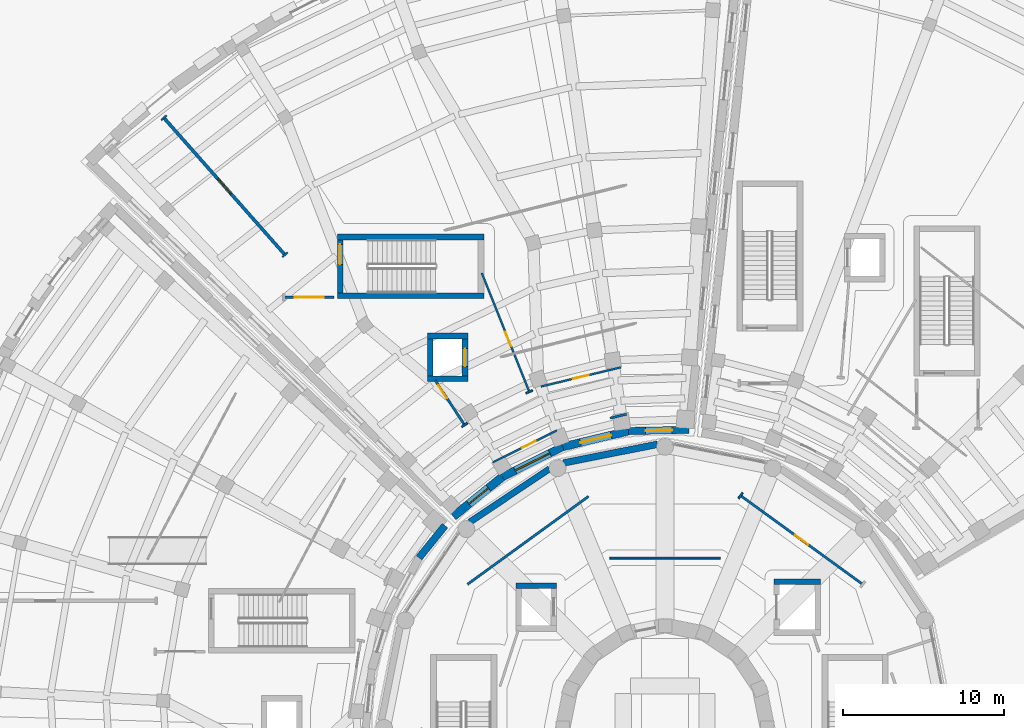
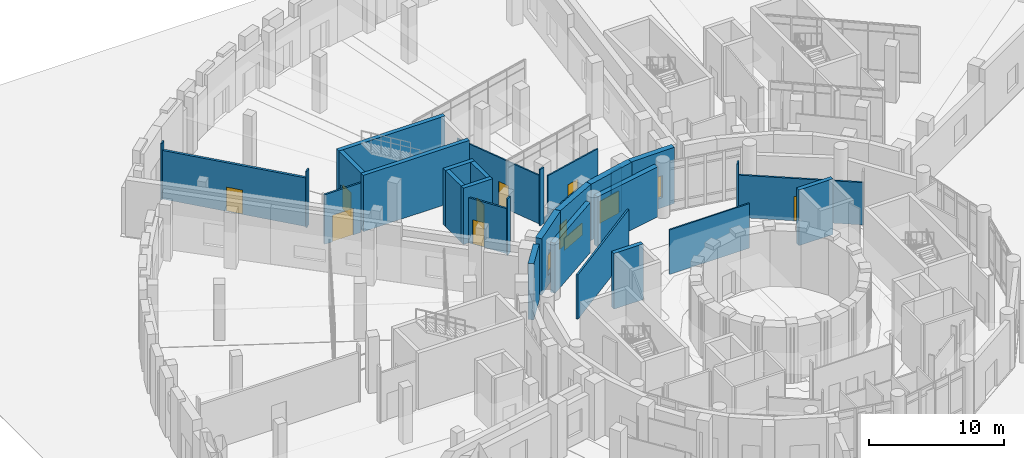
# One storey, part 49 of 74: 31 walls, 9 doors, 4 windows, 13 openings.
"""IFC4 building model written with IfcOpenShell, lengths in metres."""

from ifc_helpers import new_model, si_unit, direction, frame, frame_2d, origin, place, context, subcontext, project, spatial, rectangle, extrude, material, layer, layer_set, type_object, element, fill, save


model = new_model("IFC4")

# Units and contexts
model_context = context("Model", 3, precision=1e-05, world=origin(), true_north=direction((0.0, 1.0)))
body_context = subcontext(model_context, "Body", "Model", "MODEL_VIEW")
ifc_project = project(units=[si_unit("LENGTHUNIT", "METRE"), si_unit("AREAUNIT", "SQUARE_METRE"), si_unit("VOLUMEUNIT", "CUBIC_METRE"), si_unit("PLANEANGLEUNIT", "RADIAN"), si_unit("MASSUNIT", "GRAM", prefix="KILO")], contexts=[model_context])

# Site, building, storey
site_placement = place(None, origin())
site = spatial("IfcSite", under=ifc_project, at=site_placement, CompositionType="ELEMENT")
building_placement = place(site_placement, origin())
building = spatial("IfcBuilding", under=site, at=building_placement, Name="Soyqirgoq Riverine Aquarium", CompositionType="ELEMENT")
storey_placement = place(building_placement, origin())
storey = spatial("IfcBuildingStorey", under=building, at=storey_placement, Name="L01", CompositionType="ELEMENT", Elevation=0.0)

# Walls
ifc_material_1 = material(Name="Concrete C40/50", Category="concrete")
ifc_layer_1 = layer(ifc_material_1, 0.35009765625)
ifc_layer_set_1 = layer_set([ifc_layer_1], Name="Concrete C40/50")
wall_type_1 = type_object("IfcWallType", Name="CoreShearWall_350_C40", PredefinedType="SHEAR", material=ifc_layer_set_1)
wall_1_placement = place(storey_placement, frame((65.655029296875, 66.080078125, 0.0), z_axis=(0.0, 0.0, 1.0), x_axis=(-1.0, 0.0, 0.0)))
element("IfcWall", 1, at=wall_1_placement, inside=storey, type_object=wall_type_1, Name="Lift GL-1 Shaft Wall L01 3", PredefinedType="SHEAR", context=body_context, shape_type="SweptSolid", body=[
    extrude(rectangle(XDim=2.909912109375, YDim=0.35009765625, at=frame_2d((1.455078125, 0.0))), origin(), (0.0, 0.0, 1.0), 5.050048828125),
])
wall_2_placement = place(storey_placement, frame((49.2548828125, 65.830078125, 0.0), z_axis=(0.0, 0.0, 1.0), x_axis=(-1.0, 0.0, 0.0)))
element("IfcWall", 2, at=wall_2_placement, inside=storey, type_object=wall_type_1, Name="Lift PL-1 Shaft Wall L01 3", PredefinedType="SHEAR", context=body_context, shape_type="SweptSolid", body=[
    extrude(rectangle(XDim=2.509765625, YDim=0.35009765625, at=frame_2d((1.2548828125, 0.0))), origin(), (0.0, 0.0, 1.0), 5.050048828125),
])
for number, where, z_axis, x_axis, name in (
    (3, (35.64990234375, 83.824951171875, 0.0), (0.0, 0.0, 1.0), (1.0, 0.0, 0.0), "CORE-4 L01 Stair Core Shear Wall SIDE1"),
    (4, (44.75, 87.47509765625, 0.0), (0.0, 0.0, 1.0), (-1.0, 0.0, 0.0), "CORE-4 L01 Stair Core Shear Wall SIDE2"),
):
    element("IfcWall", number, at=place(storey_placement, frame(where, z_axis=z_axis, x_axis=x_axis)), inside=storey, type_object=wall_type_1, Name=name, PredefinedType="SHEAR", context=body_context, shape_type="SweptSolid", body=[
        extrude(rectangle(XDim=9.10009765625, YDim=0.35009765625, at=frame_2d((4.550048828125, 0.0))), origin(), (0.0, 0.0, 1.0), 5.10009765625),
    ])

# Wall, opening, door
wall_3_placement = place(storey_placement, frame((35.824951171875, 87.300048828125, 0.0), z_axis=(0.0, 0.0, 1.0), x_axis=(0.0, -1.0, 0.0)))
wall_3 = element("IfcWall", 5, at=wall_3_placement, inside=storey, type_object=wall_type_1, Name="CORE-4 L01 Stair Core Shear Wall FRONT", PredefinedType="SHEAR", context=body_context, shape_type="SweptSolid", body=[
    extrude(rectangle(XDim=3.300048828125, YDim=0.35009765625, at=frame_2d((1.64990234375, 0.0))), origin(), (0.0, 0.0, 1.0), 5.10009765625),
])
opening_1_placement = place(wall_3_placement, frame((0.280029296875, 0.0, 0.0)))
opening_1 = element("IfcOpeningElement", 6, at=opening_1_placement, cuts=wall_3, Name="Opening FD-01", PredefinedType="OPENING", context=body_context, shape_type="SweptSolid", body=[
    extrude(rectangle(XDim=1.25, YDim=2.199951171875, at=frame_2d((0.625, 1.10009765625))), frame((0.0, 0.18505859375, 0.0), z_axis=(0.0, -1.0, 0.0), x_axis=(1.0, 0.0, 0.0)), (0.0, 0.0, 1.0), 0.3701171875),
])
ifc_material_2 = material(Name="Galvanised steel fire-resisting stair door", Category="steel")
door_type_1 = type_object("IfcDoorType", Name="StairFireDoor_1250x2200_EI90", OperationType="NOTDEFINED", PredefinedType="DOOR", material=ifc_material_2)
door_1_placement = place(opening_1_placement, origin())
door_1 = element("IfcDoor", 7, at=door_1_placement, inside=storey, type_object=door_type_1, Name="DR-ST-4-L01 ST-4 L01 Fire-Rated Stairwell Door", OperationType="SINGLE_SWING_RIGHT", OverallHeight=2.199951171875, OverallWidth=1.25, PredefinedType="DOOR", context=body_context, shape_type="SweptSolid", body=[
    extrude(rectangle(XDim=1.25, YDim=2.199951171875, at=frame_2d((0.625, 1.10009765625))), frame((0.0, 0.02490234375, 0.0), z_axis=(0.0, -1.0, 0.0), x_axis=(1.0, 0.0, 0.0)), (0.0, 0.0, 1.0), 0.050048828125),
])
fill(opening_1, door_1)

# Wall
wall_4_placement = place(storey_placement, frame((41.2451171875, 78.669921875, 0.0), z_axis=(0.0, 0.0, 1.0), x_axis=(1.0, 0.0, 0.0)))
element("IfcWall", 8, at=wall_4_placement, inside=storey, type_object=wall_type_1, Name="Lift PL-3 Shaft Wall L01 1", PredefinedType="SHEAR", context=body_context, shape_type="SweptSolid", body=[
    extrude(rectangle(XDim=2.509765625, YDim=0.35009765625, at=frame_2d((1.2548828125, 0.0))), origin(), (0.0, 0.0, 1.0), 5.10009765625),
])

# Wall, opening, door
wall_5_placement = place(storey_placement, frame((43.580078125, 78.844970703125, 0.0), z_axis=(0.0, 0.0, 1.0), x_axis=(0.0, 1.0, 0.0)))
wall_5 = element("IfcWall", 9, at=wall_5_placement, inside=storey, type_object=wall_type_1, Name="Lift PL-3 Shaft Wall L01 2", PredefinedType="SHEAR", context=body_context, shape_type="SweptSolid", body=[
    extrude(rectangle(XDim=2.31005859375, YDim=0.35009765625, at=frame_2d((1.155029296875, 0.0))), origin(), (0.0, 0.0, 1.0), 5.10009765625),
])
opening_2_placement = place(wall_5_placement, frame((0.60498046875, 0.0, 0.0)))
opening_2 = element("IfcOpeningElement", 10, at=opening_2_placement, cuts=wall_5, Name="Opening LD-01", PredefinedType="OPENING", context=body_context, shape_type="SweptSolid", body=[
    extrude(rectangle(XDim=1.10009765625, YDim=2.199951171875, at=frame_2d((0.550048828125, 1.10009765625))), frame((0.0, 0.18505859375, 0.0), z_axis=(0.0, -1.0, 0.0), x_axis=(1.0, 0.0, 0.0)), (0.0, 0.0, 1.0), 0.3701171875),
])
ifc_material_3 = material(Name="Brushed stainless steel telescopic lift landing door", Category="steel")
door_type_2 = type_object("IfcDoorType", Name="LiftLandingDoor_1100x2200", OperationType="SLIDING_TO_LEFT", PredefinedType="DOOR", material=ifc_material_3)
door_2_placement = place(opening_2_placement, origin())
door_2 = element("IfcDoor", 11, at=door_2_placement, inside=storey, type_object=door_type_2, Name="LD-PL-3-L01 Lift PL-3 L01 Sliding Landing Door", OperationType="SLIDING_TO_LEFT", OverallHeight=2.199951171875, OverallWidth=1.10009765625, PredefinedType="DOOR", context=body_context, shape_type="SweptSolid", body=[
    extrude(rectangle(XDim=1.10009765625, YDim=2.199951171875, at=frame_2d((0.550048828125, 1.10009765625))), frame((0.0, 0.02490234375, 0.0), z_axis=(0.0, -1.0, 0.0), x_axis=(1.0, 0.0, 0.0)), (0.0, 0.0, 1.0), 0.050048828125),
])
fill(opening_2, door_2)

# Walls
wall_6_placement = place(storey_placement, frame((43.7548828125, 81.330078125, 0.0), z_axis=(0.0, 0.0, 1.0), x_axis=(-1.0, 0.0, 0.0)))
element("IfcWall", 12, at=wall_6_placement, inside=storey, type_object=wall_type_1, Name="Lift PL-3 Shaft Wall L01 3", PredefinedType="SHEAR", context=body_context, shape_type="SweptSolid", body=[
    extrude(rectangle(XDim=2.509765625, YDim=0.35009765625, at=frame_2d((1.2548828125, 0.0))), origin(), (0.0, 0.0, 1.0), 5.10009765625),
])
wall_7_placement = place(storey_placement, frame((41.419921875, 81.155029296875, 0.0), z_axis=(0.0, 0.0, 1.0), x_axis=(0.0, -1.0, 0.0)))
element("IfcWall", 13, at=wall_7_placement, inside=storey, type_object=wall_type_1, Name="Lift PL-3 Shaft Wall L01 4", PredefinedType="SHEAR", context=body_context, shape_type="SweptSolid", body=[
    extrude(rectangle(XDim=2.31005859375, YDim=0.35009765625, at=frame_2d((1.155029296875, 0.0))), origin(), (0.0, 0.0, 1.0), 5.10009765625),
])
ifc_material_4 = material(Name="Lightweight steel-stud gypsum partition", Category="steel")
ifc_layer_2 = layer(ifc_material_4, 0.1201171875)
ifc_layer_set_2 = layer_set([ifc_layer_2], Name="Lightweight steel-stud gypsum partition")
wall_type_2 = type_object("IfcWallType", Name="PartitionWall_120_Std", PredefinedType="PARTITIONING", material=ifc_layer_set_2)
wall_8_placement = place(storey_placement, frame((59.426025390625, 67.544189453125, 0.0), z_axis=(0.0, 0.0, 1.0), x_axis=(-1.0, 0.0, 0.0)))
element("IfcWall", 14, at=wall_8_placement, inside=storey, type_object=wall_type_2, Name="Subsea Window Alcove Partition Wall", PredefinedType="PARTITIONING", context=body_context, shape_type="SweptSolid", body=[
    extrude(rectangle(XDim=6.85205078125, YDim=0.1201171875, at=frame_2d((3.426025390625, 0.0))), origin(), (0.0, 0.0, 1.0), 4.0400390625),
])
wall_9_placement = place(storey_placement, frame((60.556396484375, 71.242919921875, 0.0), z_axis=(0.0, 0.0, 1.0), x_axis=(0.587412867849, 0.809287416611, 0.0)))
element("IfcWall", 15, at=wall_9_placement, inside=storey, type_object=wall_type_2, Name="V1 L01 Jamb Return Pier", PredefinedType="PARTITIONING", context=body_context, shape_type="SweptSolid", body=[
    extrude(rectangle(XDim=0.440185546875, YDim=0.1201171875, at=frame_2d((0.22021484375, 0.0))), origin(), (0.0, 0.0, 1.0), 4.949951171875),
])

# Wall, opening, door
wall_10_placement = place(storey_placement, frame((53.251708984375, 79.3818359375, 0.0), z_axis=(0.0, 0.0, 1.0), x_axis=(-0.972378185718, -0.233410933633, 0.0)))
wall_10 = element("IfcWall", 16, at=wall_10_placement, inside=storey, type_object=wall_type_2, Name="V4 Gallery Circulation Corridor Partition Wall", PredefinedType="PARTITIONING", context=body_context, shape_type="SweptSolid", body=[
    extrude(rectangle(XDim=5.10546875, YDim=0.1201171875, at=frame_2d((2.552734375, 0.0))), origin(), (0.0, 0.0, 1.0), 3.989990234375),
])
opening_3_placement = place(wall_10_placement, frame((2.052734375, 0.0, 0.0)))
opening_3 = element("IfcOpeningElement", 17, at=opening_3_placement, cuts=wall_10, Name="Opening ID-03", PredefinedType="OPENING", context=body_context, shape_type="SweptSolid", body=[
    extrude(rectangle(XDim=1.0, YDim=2.199951171875, at=frame_2d((0.5, 1.10009765625))), frame((0.0, 0.070068359375, 0.0), z_axis=(0.0, -1.0, 0.0), x_axis=(1.0, 0.0, 0.0)), (0.0, 0.0, 1.0), 0.14013671875),
])
ifc_material_5 = material(Name="Solid-core ash veneer room door", Category="wood")
door_type_3 = type_object("IfcDoorType", Name="RoomDoor_1000x2200", OperationType="NOTDEFINED", PredefinedType="DOOR", material=ifc_material_5)
door_3_placement = place(opening_3_placement, origin())
door_3 = element("IfcDoor", 18, at=door_3_placement, inside=storey, type_object=door_type_3, Name="IDR-V4-L01-0110 Indo-Pacific Lagoon Hall Door", OperationType="SINGLE_SWING_LEFT", OverallHeight=2.199951171875, OverallWidth=1.0, PredefinedType="DOOR", context=body_context, shape_type="SweptSolid", body=[
    extrude(rectangle(XDim=1.0, YDim=2.199951171875, at=frame_2d((0.5, 1.10009765625))), frame((0.0, 0.02490234375, 0.0), z_axis=(0.0, -1.0, 0.0), x_axis=(1.0, 0.0, 0.0)), (0.0, 0.0, 1.0), 0.050048828125),
])
fill(opening_3, door_3)

wall_11_placement = place(storey_placement, frame((45.2978515625, 73.47998046875, 0.0), z_axis=(0.0, 0.0, 1.0), x_axis=(0.894931487964, 0.446203576689, 0.0)))
wall_11 = element("IfcWall", 19, at=wall_11_placement, inside=storey, type_object=wall_type_2, Name="V4 Gallery Circulation Corridor Partition Wall", PredefinedType="PARTITIONING", context=body_context, shape_type="SweptSolid", body=[
    extrude(rectangle(XDim=4.448974609375, YDim=0.1201171875, at=frame_2d((2.224609375, 0.0))), origin(), (0.0, 0.0, 1.0), 4.090087890625),
])
opening_4_placement = place(wall_11_placement, frame((2.029296875, 0.0, 0.0)))
opening_4 = element("IfcOpeningElement", 20, at=opening_4_placement, cuts=wall_11, Name="Opening ID-06", PredefinedType="OPENING", context=body_context, shape_type="SweptSolid", body=[
    extrude(rectangle(XDim=0.949951171875, YDim=2.199951171875, at=frame_2d((0.47509765625, 1.10009765625))), frame((0.0, 0.070068359375, 0.0), z_axis=(0.0, -1.0, 0.0), x_axis=(1.0, 0.0, 0.0)), (0.0, 0.0, 1.0), 0.14013671875),
])
ifc_material_6 = material(Name="Moisture-resistant HPL washroom door", Category="wood")
door_type_4 = type_object("IfcDoorType", Name="WCDoor_950x2200", OperationType="NOTDEFINED", PredefinedType="DOOR", material=ifc_material_6)
door_4_placement = place(opening_4_placement, origin())
door_4 = element("IfcDoor", 21, at=door_4_placement, inside=storey, type_object=door_type_4, Name="IDR-V4-L01-0111 Coral Reef Gallery Door", OperationType="SINGLE_SWING_RIGHT", OverallHeight=2.199951171875, OverallWidth=0.949951171875, PredefinedType="DOOR", context=body_context, shape_type="SweptSolid", body=[
    extrude(rectangle(XDim=0.949951171875, YDim=2.199951171875, at=frame_2d((0.47509765625, 1.10009765625))), frame((0.0, 0.02490234375, 0.0), z_axis=(0.0, -1.0, 0.0), x_axis=(1.0, 0.0, 0.0)), (0.0, 0.0, 1.0), 0.050048828125),
])
fill(opening_4, door_4)

wall_12_placement = place(storey_placement, frame((47.568359375, 77.864990234375, 0.0), z_axis=(0.0, 0.0, 1.0), x_axis=(-0.371358869186, 0.928489413121, 0.0)))
wall_12 = element("IfcWall", 22, at=wall_12_placement, inside=storey, type_object=wall_type_2, Name="Mangrove Nursery Loggia Partition Wall", PredefinedType="PARTITIONING", context=body_context, shape_type="SweptSolid", body=[
    extrude(rectangle(XDim=7.9404296875, YDim=0.1201171875, at=frame_2d((3.97021484375, 0.0))), origin(), (0.0, 0.0, 1.0), 4.389892578125),
])
opening_5_placement = place(wall_12_placement, frame((3.05029296875, 0.0, 0.0)))
opening_5 = element("IfcOpeningElement", 23, at=opening_5_placement, cuts=wall_12, Name="Opening ID-06", PredefinedType="OPENING", context=body_context, shape_type="SweptSolid", body=[
    extrude(rectangle(XDim=0.949951171875, YDim=2.199951171875, at=frame_2d((0.47509765625, 1.10009765625))), frame((0.0, 0.070068359375, 0.0), z_axis=(0.0, -1.0, 0.0), x_axis=(1.0, 0.0, 0.0)), (0.0, 0.0, 1.0), 0.14013671875),
])
door_5_placement = place(opening_5_placement, origin())
door_5 = element("IfcDoor", 24, at=door_5_placement, inside=storey, type_object=door_type_4, Name="IDR-V4-L01-0114 Coral Lagoon Viewing Room Access Door", OperationType="SINGLE_SWING_RIGHT", OverallHeight=2.199951171875, OverallWidth=0.949951171875, PredefinedType="DOOR", context=body_context, shape_type="SweptSolid", body=[
    extrude(rectangle(XDim=0.949951171875, YDim=2.199951171875, at=frame_2d((0.47509765625, 1.10009765625))), frame((0.0, 0.02490234375, 0.0), z_axis=(0.0, -1.0, 0.0), x_axis=(1.0, 0.0, 0.0)), (0.0, 0.0, 1.0), 0.050048828125),
])
fill(opening_5, door_5)

# Walls
for number, where, z_axis, x_axis, name in (
    (25, (24.720947265625, 94.72607421875, 0.0), (0.0, 0.0, 1.0), (0.749335490671, 0.662190548423, 0.0), "V4 L01 Jamb Return Pier"),
    (26, (32.235107421875, 86.22412109375, 0.0), (0.0, 0.0, 1.0), (0.749335490671, 0.662190548423, 0.0), "V4 L01 Jamb Return Pier"),
    (27, (43.73193359375, 75.931396484375, 0.0), (0.0, 0.0, 1.0), (-0.835618159461, -0.549310742275, 0.0), "V4 L01 Jamb Return Pier"),
):
    element("IfcWall", number, at=place(storey_placement, frame(where, z_axis=z_axis, x_axis=x_axis)), inside=storey, type_object=wall_type_2, Name=name, PredefinedType="PARTITIONING", context=body_context, shape_type="SweptSolid", body=[
        extrude(rectangle(XDim=0.43994140625, YDim=0.1201171875, at=frame_2d((0.219970703125, 0.0))), origin(), (0.0, 0.0, 1.0), 5.10009765625),
    ])
wall_13_placement = place(storey_placement, frame((47.772705078125, 77.94677734375, 0.0), z_axis=(0.0, 0.0, 1.0), x_axis=(-0.928591414988, -0.371103737531, 0.0)))
element("IfcWall", 28, at=wall_13_placement, inside=storey, type_object=wall_type_2, Name="V4 L01 Jamb Return Pier", PredefinedType="PARTITIONING", context=body_context, shape_type="SweptSolid", body=[
    extrude(rectangle(XDim=0.440185546875, YDim=0.1201171875, at=frame_2d((0.22021484375, 0.0))), origin(), (0.0, 0.0, 1.0), 5.10009765625),
])

# Wall, opening, door
ifc_material_7 = material(Name="Acoustic mineral-wool twin-stud partition", Category="gypsum")
ifc_layer_3 = layer(ifc_material_7, 0.14990234375)
ifc_layer_set_3 = layer_set([ifc_layer_3], Name="Acoustic mineral-wool twin-stud partition")
wall_type_3 = type_object("IfcWallType", Name="PartitionWall_150_Acoustic", PredefinedType="PARTITIONING", material=ifc_layer_set_3)
wall_14_placement = place(storey_placement, frame((60.685791015625, 71.4208984375, 0.0), z_axis=(0.0, 0.0, 1.0), x_axis=(0.80900863343, -0.587796759973, 0.0)))
wall_14 = element("IfcWall", 29, at=wall_14_placement, inside=storey, type_object=wall_type_3, Name="Benthic Reef Viewing Gallery Partition Wall", PredefinedType="PARTITIONING", context=body_context, shape_type="SweptSolid", body=[
    extrude(rectangle(XDim=9.37109375, YDim=0.14990234375, at=frame_2d((4.685546875, 0.0))), origin(), (0.0, 0.0, 1.0), 3.840087890625),
])
opening_6_placement = place(wall_14_placement, frame((4.185546875, 0.0, 0.0)))
opening_6 = element("IfcOpeningElement", 30, at=opening_6_placement, cuts=wall_14, Name="Opening ID-03", PredefinedType="OPENING", context=body_context, shape_type="SweptSolid", body=[
    extrude(rectangle(XDim=1.0, YDim=2.199951171875, at=frame_2d((0.5, 1.10009765625))), frame((0.0, 0.0849609375, 0.0), z_axis=(0.0, -1.0, 0.0), x_axis=(1.0, 0.0, 0.0)), (0.0, 0.0, 1.0), 0.169921875),
])
door_6_placement = place(opening_6_placement, origin())
door_6 = element("IfcDoor", 31, at=door_6_placement, inside=storey, type_object=door_type_3, Name="IDR-V1-L01-0018 Ocean Drum Circulation Corridor Door", OperationType="SINGLE_SWING_RIGHT", OverallHeight=2.199951171875, OverallWidth=1.0, PredefinedType="DOOR", context=body_context, shape_type="SweptSolid", body=[
    extrude(rectangle(XDim=1.0, YDim=2.199951171875, at=frame_2d((0.5, 1.10009765625))), frame((0.0, 0.02490234375, 0.0), z_axis=(0.0, -1.0, 0.0), x_axis=(1.0, 0.0, 0.0)), (0.0, 0.0, 1.0), 0.050048828125),
])
fill(opening_6, door_6)

# Wall
wall_15_placement = place(storey_placement, frame((43.73291015625, 65.91259765625, 0.0), z_axis=(0.0, 0.0, 1.0), x_axis=(0.809008822634, 0.587796499564, 0.0)))
element("IfcWall", 32, at=wall_15_placement, inside=storey, type_object=wall_type_3, Name="South Reef Viewing Gallery Partition Wall", PredefinedType="PARTITIONING", context=body_context, shape_type="SweptSolid", body=[
    extrude(rectangle(XDim=9.287109375, YDim=0.14990234375, at=frame_2d((4.6435546875, 0.0))), origin(), (0.0, 0.0, 1.0), 4.0400390625),
])

# Wall, opening, door
wall_16_placement = place(storey_placement, frame((35.449951171875, 83.739990234375, 0.0), z_axis=(0.0, 0.0, 1.0), x_axis=(-1.0, 0.0, 0.0)))
wall_16 = element("IfcWall", 33, at=wall_16_placement, inside=storey, type_object=wall_type_3, Name="Coral Reef Gallery Partition Wall", PredefinedType="PARTITIONING", context=body_context, shape_type="SweptSolid", body=[
    extrude(rectangle(XDim=3.10986328125, YDim=0.14990234375, at=frame_2d((1.554931640625, 0.0))), origin(), (0.0, 0.0, 1.0), 4.489990234375),
])
opening_7_placement = place(wall_16_placement, frame((0.655029296875, 0.0, 0.0)))
opening_7 = element("IfcOpeningElement", 34, at=opening_7_placement, cuts=wall_16, Name="Opening ID-01", PredefinedType="OPENING", context=body_context, shape_type="SweptSolid", body=[
    extrude(rectangle(XDim=1.800048828125, YDim=2.39990234375, at=frame_2d((0.89990234375, 1.199951171875))), frame((0.0, 0.0849609375, 0.0), z_axis=(0.0, -1.0, 0.0), x_axis=(1.0, 0.0, 0.0)), (0.0, 0.0, 1.0), 0.169921875),
])
ifc_material_8 = material(Name="Acoustic timber-framed glazed gallery double door", Category="wood")
door_type_5 = type_object("IfcDoorType", Name="GalleryDoubleDoor_1800x2400", OperationType="DOUBLE_DOOR_SINGLE_SWING", PredefinedType="DOOR", material=ifc_material_8)
door_7_placement = place(opening_7_placement, origin())
door_7 = element("IfcDoor", 35, at=door_7_placement, inside=storey, type_object=door_type_5, Name="IDR-V4-L01-0112 Coral Reef Gallery Door", OperationType="DOUBLE_DOOR_SINGLE_SWING", OverallHeight=2.39990234375, OverallWidth=1.800048828125, PredefinedType="DOOR", context=body_context, shape_type="SweptSolid", body=[
    extrude(rectangle(XDim=1.800048828125, YDim=2.39990234375, at=frame_2d((0.89990234375, 1.199951171875))), frame((0.0, 0.02490234375, 0.0), z_axis=(0.0, -1.0, 0.0), x_axis=(1.0, 0.0, 0.0)), (0.0, 0.0, 1.0), 0.050048828125),
])
fill(opening_7, door_7)

wall_17_placement = place(storey_placement, frame((43.548095703125, 75.810546875, 0.0), z_axis=(0.0, 0.0, 1.0), x_axis=(-0.549055392423, 0.835785963062, 0.0)))
wall_17 = element("IfcWall", 36, at=wall_17_placement, inside=storey, type_object=wall_type_3, Name="Coral Reef Gallery Partition Wall", PredefinedType="PARTITIONING", context=body_context, shape_type="SweptSolid", body=[
    extrude(rectangle(XDim=3.301025390625, YDim=0.14990234375, at=frame_2d((1.650390625, 0.0))), origin(), (0.0, 0.0, 1.0), 4.090087890625),
])
opening_8_placement = place(wall_17_placement, frame((1.976318359375, 0.0, 0.0)))
opening_8 = element("IfcOpeningElement", 37, at=opening_8_placement, cuts=wall_17, Name="Opening ID-06", PredefinedType="OPENING", context=body_context, shape_type="SweptSolid", body=[
    extrude(rectangle(XDim=0.949951171875, YDim=2.199951171875, at=frame_2d((0.47509765625, 1.10009765625))), frame((0.0, 0.0849609375, 0.0), z_axis=(0.0, -1.0, 0.0), x_axis=(1.0, 0.0, 0.0)), (0.0, 0.0, 1.0), 0.169921875),
])
door_8_placement = place(opening_8_placement, origin())
door_8 = element("IfcDoor", 38, at=door_8_placement, inside=storey, type_object=door_type_4, Name="IDR-V4-L01-0113 Mangrove Nursery Loggia Door", OperationType="SINGLE_SWING_LEFT", OverallHeight=2.199951171875, OverallWidth=0.949951171875, PredefinedType="DOOR", context=body_context, shape_type="SweptSolid", body=[
    extrude(rectangle(XDim=0.949951171875, YDim=2.199951171875, at=frame_2d((0.47509765625, 1.10009765625))), frame((0.0, 0.02490234375, 0.0), z_axis=(0.0, -1.0, 0.0), x_axis=(1.0, 0.0, 0.0)), (0.0, 0.0, 1.0), 0.050048828125),
])
fill(opening_8, door_8)

# Wall
wall_18_placement = place(storey_placement, frame((53.60888671875, 76.473388671875, 0.0), z_axis=(0.0, 0.0, 1.0), x_axis=(-0.972421030251, -0.233232373237, 0.0)))
element("IfcWall", 39, at=wall_18_placement, inside=storey, type_object=wall_type_3, Name="Coral Reef Gallery Partition Wall", PredefinedType="PARTITIONING", context=body_context, shape_type="SweptSolid", body=[
    extrude(rectangle(XDim=1.051025390625, YDim=0.14990234375, at=frame_2d((0.525390625, 0.0))), origin(), (0.0, 0.0, 1.0), 3.989990234375),
])

# Wall, opening, door
ifc_material_9 = material(Name="Fire-rated calcium silicate twin-stud partition", Category="gypsum")
ifc_layer_4 = layer(ifc_material_9, 0.199951171875)
ifc_layer_set_4 = layer_set([ifc_layer_4], Name="Fire-rated calcium silicate twin-stud partition")
wall_type_4 = type_object("IfcWallType", Name="PartitionWall_200_EI90", PredefinedType="PARTITIONING", material=ifc_layer_set_4)
wall_19_placement = place(storey_placement, frame((24.8857421875, 94.87158203125, 0.0), z_axis=(0.0, 0.0, 1.0), x_axis=(0.66223769238, -0.749293826741, 0.0)))
wall_19 = element("IfcWall", 40, at=wall_19_placement, inside=storey, type_object=wall_type_4, Name="Lift and Stair Lobby ST-4 and Protected Exit Passageway Fire Enclosure Wall", PredefinedType="PARTITIONING", context=body_context, shape_type="SweptSolid", body=[
    extrude(rectangle(XDim=11.3466796875, YDim=0.199951171875, at=frame_2d((5.67333984375, 0.0))), origin(), (0.0, 0.0, 1.0), 4.409912109375),
])
opening_9_placement = place(wall_19_placement, frame((5.04833984375, 0.0, 0.0)))
opening_9 = element("IfcOpeningElement", 41, at=opening_9_placement, cuts=wall_19, Name="Opening FD-01", PredefinedType="OPENING", context=body_context, shape_type="SweptSolid", body=[
    extrude(rectangle(XDim=1.25, YDim=2.199951171875, at=frame_2d((0.625, 1.10009765625))), frame((0.0, 0.10986328125, 0.0), z_axis=(0.0, -1.0, 0.0), x_axis=(1.0, 0.0, 0.0)), (0.0, 0.0, 1.0), 0.219970703125),
])
door_9_placement = place(opening_9_placement, origin())
door_9 = element("IfcDoor", 42, at=door_9_placement, inside=storey, type_object=door_type_1, Name="IDR-V4-L01-0109 Lift and Stair Lobby ST-4 and Protected Exit Passageway Egress Fire Door", OperationType="SINGLE_SWING_LEFT", OverallHeight=2.199951171875, OverallWidth=1.25, PredefinedType="DOOR", context=body_context, shape_type="SweptSolid", body=[
    extrude(rectangle(XDim=1.25, YDim=2.199951171875, at=frame_2d((0.625, 1.10009765625))), frame((0.0, 0.02490234375, 0.0), z_axis=(0.0, -1.0, 0.0), x_axis=(1.0, 0.0, 0.0)), (0.0, 0.0, 1.0), 0.050048828125),
])
fill(opening_9, door_9)

# Wall
ifc_material_10 = material(Name="Honed travertine limestone cavity wall", Category="masonry")
ifc_layer_5 = layer(ifc_material_10, 0.449951171875)
ifc_layer_set_5 = layer_set([ifc_layer_5], Name="Honed travertine limestone cavity wall")
wall_type_5 = type_object("IfcWallType", Name="TravertineCavityWall_450", PredefinedType="SOLIDWALL", material=ifc_layer_set_5)
wall_20_placement = place(storey_placement, frame((42.335693359375, 69.55615234375, 0.0), z_axis=(0.0, 0.0, 1.0), x_axis=(-0.6281751712, -0.77807194673, 0.0)))
element("IfcWall", 43, at=wall_20_placement, inside=storey, type_object=wall_type_5, Name="V3 L01 Exterior Travertine Wall 0116", PredefinedType="SOLIDWALL", context=body_context, shape_type="SweptSolid", body=[
    extrude(rectangle(XDim=2.56201171875, YDim=0.449951171875, at=frame_2d((1.281005859375, 0.0))), origin(), (0.0, 0.0, 1.0), 5.10009765625),
])

# Wall, opening, window
wall_21_placement = place(storey_placement, frame((57.481689453125, 75.499267578125, 0.0), z_axis=(0.0, 0.0, 1.0), x_axis=(-0.99983815897, -0.017990438221, 0.0)))
wall_21 = element("IfcWall", 44, at=wall_21_placement, inside=storey, type_object=wall_type_5, Name="V4 L01 Exterior Travertine Wall 0177", PredefinedType="SOLIDWALL", context=body_context, shape_type="SweptSolid", body=[
    extrude(rectangle(XDim=3.745361328125, YDim=0.449951171875, at=frame_2d((1.87255859375, 0.0))), origin(), (0.0, 0.0, 1.0), 5.10009765625),
])
opening_10_placement = place(wall_21_placement, frame((1.0478515625, 0.0, 0.89990234375)))
opening_10 = element("IfcOpeningElement", 45, at=opening_10_placement, cuts=wall_21, Name="Opening WN-13", PredefinedType="OPENING", context=body_context, shape_type="SweptSolid", body=[
    extrude(rectangle(XDim=1.64990234375, YDim=2.0, at=frame_2d((0.824951171875, 1.0))), frame((0.0, 0.23486328125, 0.0), z_axis=(0.0, -1.0, 0.0), x_axis=(1.0, 0.0, 0.0)), (0.0, 0.0, 1.0), 0.469970703125),
])
ifc_material_11 = material(Name="Thermally broken aluminium triple low-E window", Category="aluminium")
window_type_1 = type_object("IfcWindowType", Name="Win_Gallery_1650x2000", PartitioningType="DOUBLE_PANEL_VERTICAL", PredefinedType="WINDOW", material=ifc_material_11)
window_1_placement = place(opening_10_placement, origin())
window_1 = element("IfcWindow", 46, at=window_1_placement, inside=storey, type_object=window_type_1, Name="V4 L01 Facade Window 0116", OverallHeight=2.0, OverallWidth=1.64990234375, PartitioningType="DOUBLE_PANEL_VERTICAL", PredefinedType="WINDOW", context=body_context, shape_type="SweptSolid", body=[
    extrude(rectangle(XDim=1.64990234375, YDim=2.0, at=frame_2d((0.824951171875, 1.0))), frame((0.0, 0.030029296875, 0.0), z_axis=(0.0, -1.0, 0.0), x_axis=(1.0, 0.0, 0.0)), (0.0, 0.0, 1.0), 0.06005859375),
])
fill(opening_10, window_1)

ifc_material_12 = material(Name="Honed travertine limestone cavity wall", Category="masonry")
ifc_layer_6 = layer(ifc_material_12, 0.47998046875)
ifc_layer_set_6 = layer_set([ifc_layer_6], Name="Honed travertine limestone cavity wall")
wall_type_6 = type_object("IfcWallType", Name="TravertineCavityWall_480", PredefinedType="SOLIDWALL", material=ifc_layer_set_6)
wall_22_placement = place(storey_placement, frame((49.648681640625, 74.4501953125, 0.0), z_axis=(0.0, 0.0, 1.0), x_axis=(-0.894937601865, -0.446191314088, 0.0)))
wall_22 = element("IfcWall", 47, at=wall_22_placement, inside=storey, type_object=wall_type_6, Name="V4 L01 Exterior Travertine Wall 0179", PredefinedType="SOLIDWALL", context=body_context, shape_type="SweptSolid", body=[
    extrude(rectangle(XDim=4.204345703125, YDim=0.47998046875, at=frame_2d((2.10205078125, 0.0))), origin(), (0.0, 0.0, 1.0), 5.10009765625),
])
opening_11_placement = place(wall_22_placement, frame((0.902099609375, 0.0, 0.89990234375)))
opening_11 = element("IfcOpeningElement", 48, at=opening_11_placement, cuts=wall_22, Name="Opening WN-10", PredefinedType="OPENING", context=body_context, shape_type="SweptSolid", body=[
    extrude(rectangle(XDim=2.39990234375, YDim=1.10009765625, at=frame_2d((1.199951171875, 0.550048828125))), frame((0.0, 0.25, 0.0), z_axis=(0.0, -1.0, 0.0), x_axis=(1.0, 0.0, 0.0)), (0.0, 0.0, 1.0), 0.5),
])
ifc_material_13 = material(Name="Thermally broken aluminium triple low-E window", Category="aluminium")
window_type_2 = type_object("IfcWindowType", Name="Win_Clerestory_2400x1100", PartitioningType="DOUBLE_PANEL_HORIZONTAL", PredefinedType="LIGHTDOME", material=ifc_material_13)
window_2_placement = place(opening_11_placement, origin())
window_2 = element("IfcWindow", 49, at=window_2_placement, inside=storey, type_object=window_type_2, Name="V4 L01 Facade Window 0118", OverallHeight=1.10009765625, OverallWidth=2.39990234375, PartitioningType="DOUBLE_PANEL_HORIZONTAL", PredefinedType="LIGHTDOME", context=body_context, shape_type="SweptSolid", body=[
    extrude(rectangle(XDim=2.39990234375, YDim=1.10009765625, at=frame_2d((1.199951171875, 0.550048828125))), frame((0.0, 0.030029296875, 0.0), z_axis=(0.0, -1.0, 0.0), x_axis=(1.0, 0.0, 0.0)), (0.0, 0.0, 1.0), 0.06005859375),
])
fill(opening_11, window_2)

ifc_material_14 = material(Name="Honed travertine limestone cavity wall", Category="masonry")
ifc_layer_7 = layer(ifc_material_14, 0.5)
ifc_layer_set_7 = layer_set([ifc_layer_7], Name="Honed travertine limestone cavity wall")
wall_type_7 = type_object("IfcWallType", Name="TravertineCavityWall_500", PredefinedType="SOLIDWALL", material=ifc_layer_set_7)
wall_23_placement = place(storey_placement, frame((53.73681640625, 75.431884765625, 0.0), z_axis=(0.0, 0.0, 1.0), x_axis=(-0.972358304115, -0.233493743855, 0.0)))
wall_23 = element("IfcWall", 50, at=wall_23_placement, inside=storey, type_object=wall_type_7, Name="V4 L01 Exterior Travertine Wall 0178", PredefinedType="SOLIDWALL", context=body_context, shape_type="SweptSolid", body=[
    extrude(rectangle(XDim=4.204345703125, YDim=0.5, at=frame_2d((2.10205078125, 0.0))), origin(), (0.0, 0.0, 1.0), 5.10009765625),
])
opening_12_placement = place(wall_23_placement, frame((1.127197265625, 0.0, 0.89990234375)))
opening_12 = element("IfcOpeningElement", 51, at=opening_12_placement, cuts=wall_23, Name="Opening WN-14", PredefinedType="OPENING", context=body_context, shape_type="SweptSolid", body=[
    extrude(rectangle(XDim=1.949951171875, YDim=2.0, at=frame_2d((0.97509765625, 1.0))), frame((0.0, 0.260009765625, 0.0), z_axis=(0.0, -1.0, 0.0), x_axis=(1.0, 0.0, 0.0)), (0.0, 0.0, 1.0), 0.52001953125),
])
ifc_material_15 = material(Name="Thermally broken aluminium triple low-E window", Category="aluminium")
window_type_3 = type_object("IfcWindowType", Name="Win_Gallery_1950x2000", PartitioningType="DOUBLE_PANEL_VERTICAL", PredefinedType="WINDOW", material=ifc_material_15)
window_3_placement = place(opening_12_placement, origin())
window_3 = element("IfcWindow", 52, at=window_3_placement, inside=storey, type_object=window_type_3, Name="V4 L01 Facade Window 0117", OverallHeight=2.0, OverallWidth=1.949951171875, PartitioningType="DOUBLE_PANEL_VERTICAL", PredefinedType="WINDOW", context=body_context, shape_type="SweptSolid", body=[
    extrude(rectangle(XDim=1.949951171875, YDim=2.0, at=frame_2d((0.97509765625, 1.0))), frame((0.0, 0.030029296875, 0.0), z_axis=(0.0, -1.0, 0.0), x_axis=(1.0, 0.0, 0.0)), (0.0, 0.0, 1.0), 0.06005859375),
])
fill(opening_12, window_3)

ifc_material_16 = material(Name="Honed travertine limestone cavity wall", Category="masonry")
ifc_layer_8 = layer(ifc_material_16, 0.52001953125)
ifc_layer_set_8 = layer_set([ifc_layer_8], Name="Honed travertine limestone cavity wall")
wall_type_8 = type_object("IfcWallType", Name="TravertineCavityWall_520", PredefinedType="SOLIDWALL", material=ifc_layer_set_8)
wall_24_placement = place(storey_placement, frame((45.885986328125, 72.57421875, 0.0), z_axis=(0.0, 0.0, 1.0), x_axis=(-0.777517372915, -0.628861459159, 0.0)))
wall_24 = element("IfcWall", 53, at=wall_24_placement, inside=storey, type_object=wall_type_8, Name="V4 L01 Exterior Travertine Wall 0180", PredefinedType="SOLIDWALL", context=body_context, shape_type="SweptSolid", body=[
    extrude(rectangle(XDim=3.900390625, YDim=0.52001953125, at=frame_2d((1.9501953125, 0.0))), origin(), (0.0, 0.0, 1.0), 5.10009765625),
])
opening_13_placement = place(wall_24_placement, frame((1.097900390625, 0.0, 0.89990234375)))
opening_13 = element("IfcOpeningElement", 54, at=opening_13_placement, cuts=wall_24, Name="Opening WN-18", PredefinedType="OPENING", context=body_context, shape_type="SweptSolid", body=[
    extrude(rectangle(XDim=1.550048828125, YDim=1.85009765625, at=frame_2d((0.77490234375, 0.925048828125))), frame((0.0, 0.27001953125, 0.0), z_axis=(0.0, -1.0, 0.0), x_axis=(1.0, 0.0, 0.0)), (0.0, 0.0, 1.0), 0.5400390625),
])
ifc_material_17 = material(Name="Thermally broken aluminium triple low-E window", Category="aluminium")
window_type_4 = type_object("IfcWindowType", Name="Win_Office_1550x1850", PartitioningType="DOUBLE_PANEL_VERTICAL", PredefinedType="WINDOW", material=ifc_material_17)
window_4_placement = place(opening_13_placement, origin())
window_4 = element("IfcWindow", 55, at=window_4_placement, inside=storey, type_object=window_type_4, Name="V4 L01 Facade Window 0119", OverallHeight=1.85009765625, OverallWidth=1.550048828125, PartitioningType="DOUBLE_PANEL_VERTICAL", PredefinedType="WINDOW", context=body_context, shape_type="SweptSolid", body=[
    extrude(rectangle(XDim=1.550048828125, YDim=1.85009765625, at=frame_2d((0.77490234375, 0.925048828125))), frame((0.0, 0.030029296875, 0.0), z_axis=(0.0, -1.0, 0.0), x_axis=(1.0, 0.0, 0.0)), (0.0, 0.0, 1.0), 0.06005859375),
])
fill(opening_13, window_4)

# Walls
ifc_material_18 = material(Name="Honed travertine limestone cavity wall", Category="masonry")
ifc_layer_9 = layer(ifc_material_18, 0.39990234375)
ifc_layer_set_9 = layer_set([ifc_layer_9], Name="Honed travertine limestone cavity wall")
wall_type_9 = type_object("IfcWallType", Name="TravertineSpandrelWall_400", PredefinedType="SOLIDWALL", material=ifc_layer_set_9)
wall_25_placement = place(storey_placement, frame((43.8818359375, 69.781494140625, 0.0), z_axis=(0.0, 0.0, 1.0), x_axis=(0.831456414545, 0.555589984352, 0.0)))
element("IfcWall", 56, at=wall_25_placement, inside=storey, type_object=wall_type_9, Name="V1 L01 Exterior Travertine Wall 0021", PredefinedType="SOLIDWALL", context=body_context, shape_type="SweptSolid", body=[
    extrude(rectangle(XDim=5.94970703125, YDim=0.39990234375, at=frame_2d((2.974853515625, 0.0))), origin(), (0.0, 0.0, 1.0), 4.5400390625),
])
ifc_material_19 = material(Name="Honed travertine limestone cavity wall", Category="masonry")
ifc_layer_10 = layer(ifc_material_19, 0.419921875)
ifc_layer_set_10 = layer_set([ifc_layer_10], Name="Honed travertine limestone cavity wall")
wall_type_10 = type_object("IfcWallType", Name="TravertineSpandrelWall_420", PredefinedType="SOLIDWALL", material=ifc_layer_set_10)
wall_26_placement = place(storey_placement, frame((49.695556640625, 73.446044921875, 0.0), z_axis=(0.0, 0.0, 1.0), x_axis=(0.980788447596, 0.19507439879, 0.0)))
element("IfcWall", 57, at=wall_26_placement, inside=storey, type_object=wall_type_10, Name="V1 L01 Exterior Travertine Wall 0015", PredefinedType="SOLIDWALL", context=body_context, shape_type="SweptSolid", body=[
    extrude(rectangle(XDim=5.94970703125, YDim=0.419921875, at=frame_2d((2.974853515625, 0.0))), origin(), (0.0, 0.0, 1.0), 4.5400390625),
])

save(model, "model.ifc")
